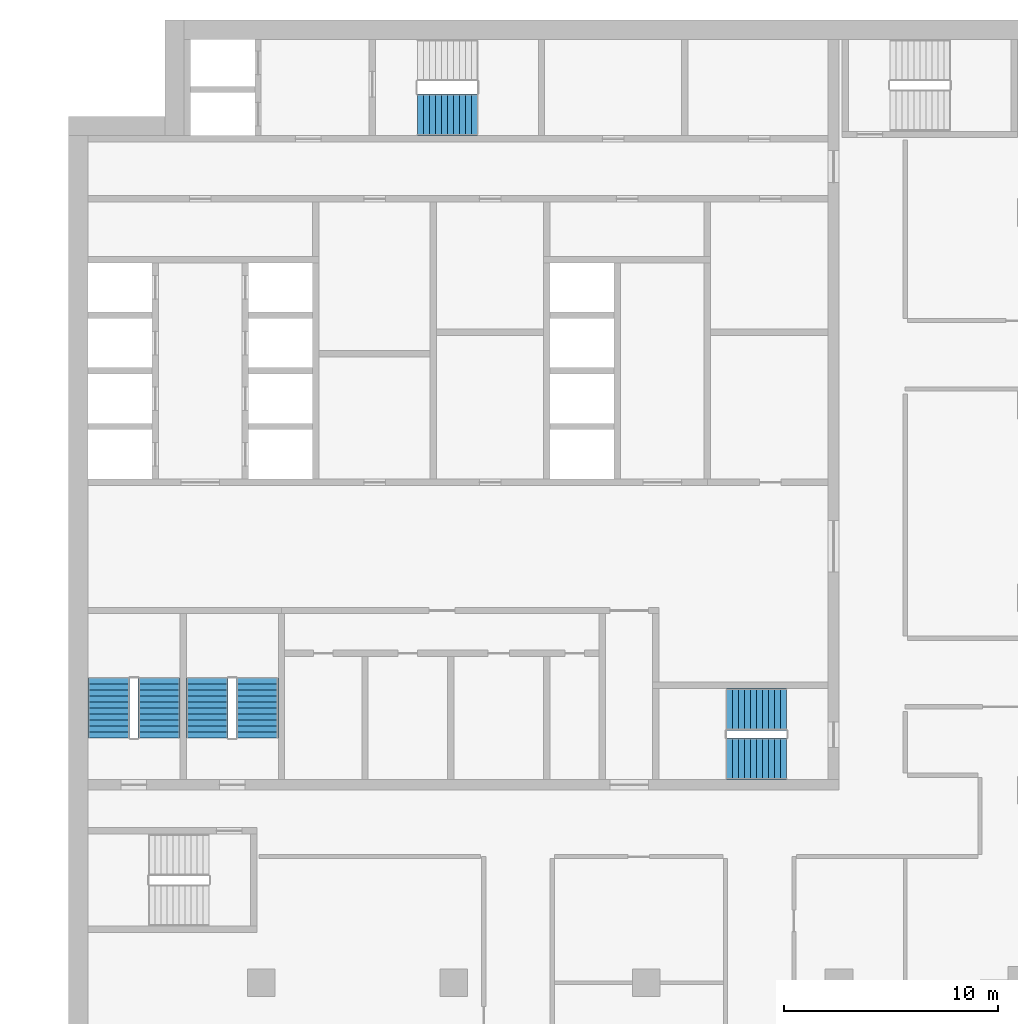
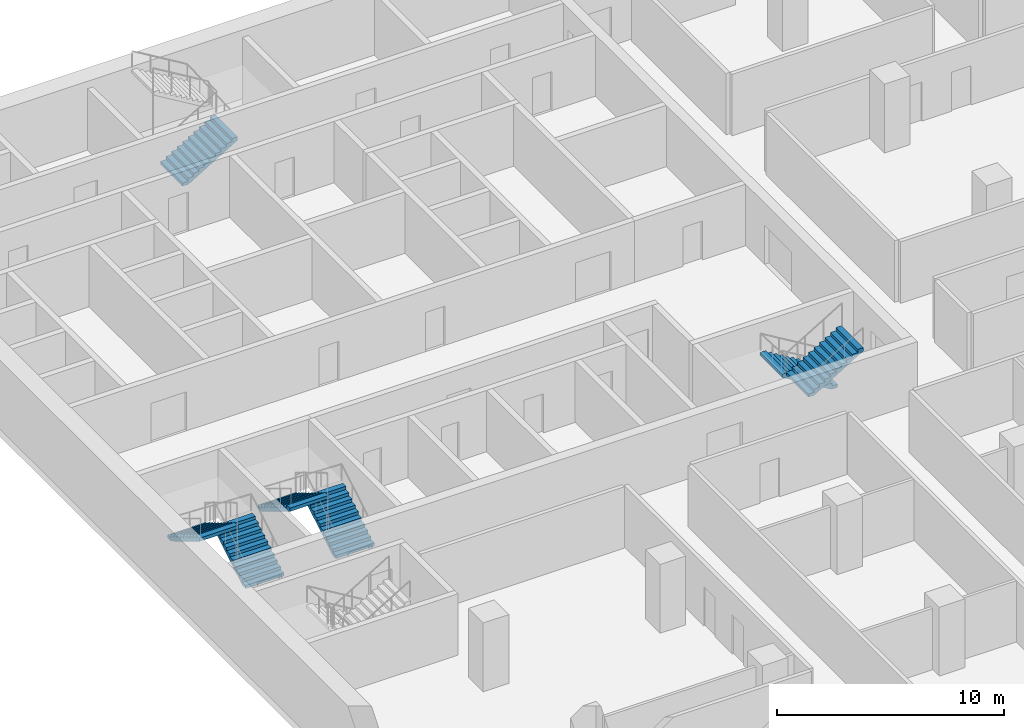
# One storey, part 16 of 22: 7 stair flights, 4 elements without a shape of their own.
"""IFC4 building model written with IfcOpenShell, lengths in metres."""

from ifc_helpers import new_model, si_unit, direction, frame, origin, place, context, subcontext, project, spatial, polyline, outline, extrude, material, type_object, element, aggregate, save


model = new_model("IFC4")

# Units and contexts
model_context = context("Model", 3, precision=1e-05, world=origin(), true_north=direction((0.0, 1.0)))
body_context = subcontext(model_context, "Body", "Model", "MODEL_VIEW")
ifc_project = project(units=[si_unit("LENGTHUNIT", "METRE"), si_unit("AREAUNIT", "SQUARE_METRE"), si_unit("VOLUMEUNIT", "CUBIC_METRE"), si_unit("PLANEANGLEUNIT", "RADIAN"), si_unit("MASSUNIT", "GRAM", prefix="KILO")], contexts=[model_context])

# Site, building, storey
site_placement = place(None, origin())
site = spatial("IfcSite", under=ifc_project, at=site_placement, CompositionType="ELEMENT")
building_placement = place(site_placement, origin())
building = spatial("IfcBuilding", under=site, at=building_placement, Name="Hunhe Ridgeline Campus", CompositionType="ELEMENT")
storey_placement = place(building_placement, frame((0.0, 0.0, 88.5)))
storey = spatial("IfcBuildingStorey", under=building, at=storey_placement, Name="L21", CompositionType="ELEMENT", Elevation=88.5)

# Stair, stair flight
ifc_material = material(Name="Concrete C40", Category="concrete")
stair_type = type_object("IfcStairType", Name="Reinforced concrete dog-leg stair 1950 Concrete C40", PredefinedType="HALF_TURN_STAIR", material=ifc_material)
stair_1_placement = place(storey_placement, origin())
stair_1 = element("IfcStair", 1, at=stair_1_placement, inside=storey, type_object=stair_type, Name="L21 S1", PredefinedType="HALF_TURN_STAIR")
stair_flight_type = type_object("IfcStairFlightType", Name="Reinforced concrete stair flight 1950 Concrete C40", PredefinedType="STRAIGHT", material=ifc_material)
stair_flight_1_placement = place(storey_placement, frame((16.300048828125, 94.574951171875, 0.0), z_axis=(0.0, 0.0, 1.0), x_axis=(1.0, 0.0, 0.0)))
stair_flight_1 = element("IfcStairFlight", 2, at=stair_flight_1_placement, type_object=stair_flight_type, Name="ST1 flight 1", NumberOfRisers=11, NumberOfTreads=10, PredefinedType="STRAIGHT", RiserHeight=0.168181818, TreadLength=0.28, context=body_context, shape_type="SweptSolid", body=[
    extrude(outline(polyline([(0.0, 0.0), (0.0, 0.168212890625), (0.280029296875, 0.168212890625), (0.280029296875, 0.33642578125), (0.56005859375, 0.33642578125), (0.56005859375, 0.504638671875), (0.840087890625, 0.504638671875), (0.840087890625, 0.672607421875), (1.1201171875, 0.672607421875), (1.1201171875, 0.8408203125), (1.39990234375, 0.8408203125), (1.39990234375, 1.009033203125), (1.679931640625, 1.009033203125), (1.679931640625, 1.17724609375), (1.9599609375, 1.17724609375), (1.9599609375, 1.345458984375), (2.239990234375, 1.345458984375), (2.239990234375, 1.513671875), (2.52001953125, 1.513671875), (2.52001953125, 1.681884765625), (2.800048828125, 1.681884765625), (2.800048828125, 1.85009765625), (2.800048828125, 1.5068359375), (0.291015625, 0.0), (0.0, 0.0)])), frame((0.0, 0.97509765625, 0.0), z_axis=(0.0, -1.0, 0.0), x_axis=(1.0, 0.0, 0.0)), (0.0, 0.0, 1.0), 1.949951171875),
    extrude(outline(polyline([(0.030029296875, 0.030029296875), (0.030029296875, 0.13818359375), (0.31005859375, 0.13818359375), (0.31005859375, 0.306396484375), (0.590087890625, 0.306396484375), (0.590087890625, 0.474609375), (0.8701171875, 0.474609375), (0.8701171875, 0.642578125), (1.14990234375, 0.642578125), (1.14990234375, 0.810791015625), (1.429931640625, 0.810791015625), (1.429931640625, 0.97900390625), (1.7099609375, 0.97900390625), (1.7099609375, 1.147216796875), (1.989990234375, 1.147216796875), (1.989990234375, 1.3154296875), (2.27001953125, 1.3154296875), (2.27001953125, 1.483642578125), (2.550048828125, 1.483642578125), (2.550048828125, 1.65185546875), (2.77001953125, 1.65185546875), (2.77001953125, 1.52392578125), (0.28271484375, 0.030029296875), (0.030029296875, 0.030029296875)])), frame((0.0, -0.070068359375, 0.0), z_axis=(0.0, -1.0, 0.0), x_axis=(1.0, 0.0, 0.0)), (0.0, 0.0, 1.0), 0.019775390625),
    extrude(outline(polyline([(0.030029296875, 0.030029296875), (0.030029296875, 0.13818359375), (0.31005859375, 0.13818359375), (0.31005859375, 0.306396484375), (0.590087890625, 0.306396484375), (0.590087890625, 0.474609375), (0.8701171875, 0.474609375), (0.8701171875, 0.642578125), (1.14990234375, 0.642578125), (1.14990234375, 0.810791015625), (1.429931640625, 0.810791015625), (1.429931640625, 0.97900390625), (1.7099609375, 0.97900390625), (1.7099609375, 1.147216796875), (1.989990234375, 1.147216796875), (1.989990234375, 1.3154296875), (2.27001953125, 1.3154296875), (2.27001953125, 1.483642578125), (2.550048828125, 1.483642578125), (2.550048828125, 1.65185546875), (2.77001953125, 1.65185546875), (2.77001953125, 1.52392578125), (0.28271484375, 0.030029296875), (0.030029296875, 0.030029296875)])), frame((0.0, 0.010009765625, 0.0), z_axis=(0.0, -1.0, 0.0), x_axis=(1.0, 0.0, 0.0)), (0.0, 0.0, 1.0), 0.019775390625),
    extrude(outline(polyline([(0.030029296875, 0.030029296875), (0.030029296875, 0.13818359375), (0.31005859375, 0.13818359375), (0.31005859375, 0.306396484375), (0.590087890625, 0.306396484375), (0.590087890625, 0.474609375), (0.8701171875, 0.474609375), (0.8701171875, 0.642578125), (1.14990234375, 0.642578125), (1.14990234375, 0.810791015625), (1.429931640625, 0.810791015625), (1.429931640625, 0.97900390625), (1.7099609375, 0.97900390625), (1.7099609375, 1.147216796875), (1.989990234375, 1.147216796875), (1.989990234375, 1.3154296875), (2.27001953125, 1.3154296875), (2.27001953125, 1.483642578125), (2.550048828125, 1.483642578125), (2.550048828125, 1.65185546875), (2.77001953125, 1.65185546875), (2.77001953125, 1.52392578125), (0.28271484375, 0.030029296875), (0.030029296875, 0.030029296875)])), frame((0.0, 0.090087890625, 0.0), z_axis=(0.0, -1.0, 0.0), x_axis=(1.0, 0.0, 0.0)), (0.0, 0.0, 1.0), 0.019775390625),
])
aggregate(stair_1, [stair_flight_1])

# Stair, stair flights
stair_2_placement = place(storey_placement, origin())
stair_2 = element("IfcStair", 3, at=stair_2_placement, inside=storey, type_object=stair_type, Name="L21 S2", PredefinedType="HALF_TURN_STAIR")
stair_flight_2_placement = place(storey_placement, frame((33.550048828125, 66.77490234375, 0.0), z_axis=(0.0, 0.0, 1.0), x_axis=(-1.0, 0.0, 0.0)))
stair_flight_2 = element("IfcStairFlight", 4, at=stair_flight_2_placement, type_object=stair_flight_type, Name="ST2 flight 1", NumberOfRisers=11, NumberOfTreads=10, PredefinedType="STRAIGHT", RiserHeight=0.168181818, TreadLength=0.28, context=body_context, shape_type="SweptSolid", body=[
    extrude(outline(polyline([(0.0, 0.0), (0.0, 0.168212890625), (0.280029296875, 0.168212890625), (0.280029296875, 0.33642578125), (0.56005859375, 0.33642578125), (0.56005859375, 0.504638671875), (0.840087890625, 0.504638671875), (0.840087890625, 0.672607421875), (1.1201171875, 0.672607421875), (1.1201171875, 0.8408203125), (1.39990234375, 0.8408203125), (1.39990234375, 1.009033203125), (1.679931640625, 1.009033203125), (1.679931640625, 1.17724609375), (1.9599609375, 1.17724609375), (1.9599609375, 1.345458984375), (2.239990234375, 1.345458984375), (2.239990234375, 1.513671875), (2.52001953125, 1.513671875), (2.52001953125, 1.681884765625), (2.800048828125, 1.681884765625), (2.800048828125, 1.85009765625), (2.800048828125, 1.5068359375), (0.291015625, 0.0), (0.0, 0.0)])), frame((0.0, 0.97509765625, 0.0), z_axis=(0.0, -1.0, 0.0), x_axis=(1.0, 0.0, 0.0)), (0.0, 0.0, 1.0), 1.949951171875),
    extrude(outline(polyline([(0.030029296875, 0.030029296875), (0.030029296875, 0.13818359375), (0.31005859375, 0.13818359375), (0.31005859375, 0.306396484375), (0.590087890625, 0.306396484375), (0.590087890625, 0.474609375), (0.8701171875, 0.474609375), (0.8701171875, 0.642578125), (1.14990234375, 0.642578125), (1.14990234375, 0.810791015625), (1.429931640625, 0.810791015625), (1.429931640625, 0.97900390625), (1.7099609375, 0.97900390625), (1.7099609375, 1.147216796875), (1.989990234375, 1.147216796875), (1.989990234375, 1.3154296875), (2.27001953125, 1.3154296875), (2.27001953125, 1.483642578125), (2.550048828125, 1.483642578125), (2.550048828125, 1.65185546875), (2.77001953125, 1.65185546875), (2.77001953125, 1.52392578125), (0.28271484375, 0.030029296875), (0.030029296875, 0.030029296875)])), frame((0.0, -0.070068359375, 0.0), z_axis=(0.0, -1.0, 0.0), x_axis=(1.0, 0.0, 0.0)), (0.0, 0.0, 1.0), 0.019775390625),
    extrude(outline(polyline([(0.030029296875, 0.030029296875), (0.030029296875, 0.13818359375), (0.31005859375, 0.13818359375), (0.31005859375, 0.306396484375), (0.590087890625, 0.306396484375), (0.590087890625, 0.474609375), (0.8701171875, 0.474609375), (0.8701171875, 0.642578125), (1.14990234375, 0.642578125), (1.14990234375, 0.810791015625), (1.429931640625, 0.810791015625), (1.429931640625, 0.97900390625), (1.7099609375, 0.97900390625), (1.7099609375, 1.147216796875), (1.989990234375, 1.147216796875), (1.989990234375, 1.3154296875), (2.27001953125, 1.3154296875), (2.27001953125, 1.483642578125), (2.550048828125, 1.483642578125), (2.550048828125, 1.65185546875), (2.77001953125, 1.65185546875), (2.77001953125, 1.52392578125), (0.28271484375, 0.030029296875), (0.030029296875, 0.030029296875)])), frame((0.0, 0.010009765625, 0.0), z_axis=(0.0, -1.0, 0.0), x_axis=(1.0, 0.0, 0.0)), (0.0, 0.0, 1.0), 0.019775390625),
    extrude(outline(polyline([(0.030029296875, 0.030029296875), (0.030029296875, 0.13818359375), (0.31005859375, 0.13818359375), (0.31005859375, 0.306396484375), (0.590087890625, 0.306396484375), (0.590087890625, 0.474609375), (0.8701171875, 0.474609375), (0.8701171875, 0.642578125), (1.14990234375, 0.642578125), (1.14990234375, 0.810791015625), (1.429931640625, 0.810791015625), (1.429931640625, 0.97900390625), (1.7099609375, 0.97900390625), (1.7099609375, 1.147216796875), (1.989990234375, 1.147216796875), (1.989990234375, 1.3154296875), (2.27001953125, 1.3154296875), (2.27001953125, 1.483642578125), (2.550048828125, 1.483642578125), (2.550048828125, 1.65185546875), (2.77001953125, 1.65185546875), (2.77001953125, 1.52392578125), (0.28271484375, 0.030029296875), (0.030029296875, 0.030029296875)])), frame((0.0, 0.090087890625, 0.0), z_axis=(0.0, -1.0, 0.0), x_axis=(1.0, 0.0, 0.0)), (0.0, 0.0, 1.0), 0.019775390625),
])
stair_flight_3_placement = place(storey_placement, frame((30.75, 64.47509765625, 1.85009765625), z_axis=(0.0, 0.0, 1.0), x_axis=(1.0, 0.0, 0.0)))
stair_flight_3 = element("IfcStairFlight", 5, at=stair_flight_3_placement, type_object=stair_flight_type, Name="ST2 flight 2", NumberOfRisers=11, NumberOfTreads=10, PredefinedType="STRAIGHT", RiserHeight=0.168181818, TreadLength=0.28, context=body_context, shape_type="SweptSolid", body=[
    extrude(outline(polyline([(0.0, 0.0), (0.0, 0.168212890625), (0.280029296875, 0.168212890625), (0.280029296875, 0.33642578125), (0.56005859375, 0.33642578125), (0.56005859375, 0.504638671875), (0.840087890625, 0.504638671875), (0.840087890625, 0.672607421875), (1.1201171875, 0.672607421875), (1.1201171875, 0.8408203125), (1.39990234375, 0.8408203125), (1.39990234375, 1.009033203125), (1.679931640625, 1.009033203125), (1.679931640625, 1.17724609375), (1.9599609375, 1.17724609375), (1.9599609375, 1.345458984375), (2.239990234375, 1.345458984375), (2.239990234375, 1.513671875), (2.52001953125, 1.513671875), (2.52001953125, 1.681884765625), (2.800048828125, 1.681884765625), (2.800048828125, 1.85009765625), (2.800048828125, 1.5068359375), (0.291015625, 0.0), (0.0, 0.0)])), frame((0.0, 0.97509765625, 0.0), z_axis=(0.0, -1.0, 0.0), x_axis=(1.0, 0.0, 0.0)), (0.0, 0.0, 1.0), 1.949951171875),
    extrude(outline(polyline([(0.030029296875, 0.030029296875), (0.030029296875, 0.13818359375), (0.31005859375, 0.13818359375), (0.31005859375, 0.306396484375), (0.590087890625, 0.306396484375), (0.590087890625, 0.474609375), (0.8701171875, 0.474609375), (0.8701171875, 0.642578125), (1.14990234375, 0.642578125), (1.14990234375, 0.810791015625), (1.429931640625, 0.810791015625), (1.429931640625, 0.97900390625), (1.7099609375, 0.97900390625), (1.7099609375, 1.147216796875), (1.989990234375, 1.147216796875), (1.989990234375, 1.3154296875), (2.27001953125, 1.3154296875), (2.27001953125, 1.483642578125), (2.550048828125, 1.483642578125), (2.550048828125, 1.65185546875), (2.77001953125, 1.65185546875), (2.77001953125, 1.52392578125), (0.28271484375, 0.030029296875), (0.030029296875, 0.030029296875)])), frame((0.0, -0.070068359375, 0.0), z_axis=(0.0, -1.0, 0.0), x_axis=(1.0, 0.0, 0.0)), (0.0, 0.0, 1.0), 0.019775390625),
    extrude(outline(polyline([(0.030029296875, 0.030029296875), (0.030029296875, 0.13818359375), (0.31005859375, 0.13818359375), (0.31005859375, 0.306396484375), (0.590087890625, 0.306396484375), (0.590087890625, 0.474609375), (0.8701171875, 0.474609375), (0.8701171875, 0.642578125), (1.14990234375, 0.642578125), (1.14990234375, 0.810791015625), (1.429931640625, 0.810791015625), (1.429931640625, 0.97900390625), (1.7099609375, 0.97900390625), (1.7099609375, 1.147216796875), (1.989990234375, 1.147216796875), (1.989990234375, 1.3154296875), (2.27001953125, 1.3154296875), (2.27001953125, 1.483642578125), (2.550048828125, 1.483642578125), (2.550048828125, 1.65185546875), (2.77001953125, 1.65185546875), (2.77001953125, 1.52392578125), (0.28271484375, 0.030029296875), (0.030029296875, 0.030029296875)])), frame((0.0, 0.010009765625, 0.0), z_axis=(0.0, -1.0, 0.0), x_axis=(1.0, 0.0, 0.0)), (0.0, 0.0, 1.0), 0.019775390625),
    extrude(outline(polyline([(0.030029296875, 0.030029296875), (0.030029296875, 0.13818359375), (0.31005859375, 0.13818359375), (0.31005859375, 0.306396484375), (0.590087890625, 0.306396484375), (0.590087890625, 0.474609375), (0.8701171875, 0.474609375), (0.8701171875, 0.642578125), (1.14990234375, 0.642578125), (1.14990234375, 0.810791015625), (1.429931640625, 0.810791015625), (1.429931640625, 0.97900390625), (1.7099609375, 0.97900390625), (1.7099609375, 1.147216796875), (1.989990234375, 1.147216796875), (1.989990234375, 1.3154296875), (2.27001953125, 1.3154296875), (2.27001953125, 1.483642578125), (2.550048828125, 1.483642578125), (2.550048828125, 1.65185546875), (2.77001953125, 1.65185546875), (2.77001953125, 1.52392578125), (0.28271484375, 0.030029296875), (0.030029296875, 0.030029296875)])), frame((0.0, 0.090087890625, 0.0), z_axis=(0.0, -1.0, 0.0), x_axis=(1.0, 0.0, 0.0)), (0.0, 0.0, 1.0), 0.019775390625),
])
aggregate(stair_2, [stair_flight_2, stair_flight_3])

stair_3_placement = place(storey_placement, origin())
stair_3 = element("IfcStair", 6, at=stair_3_placement, inside=storey, type_object=stair_type, Name="L21 S3", PredefinedType="HALF_TURN_STAIR")
stair_flight_4_placement = place(storey_placement, frame((4.22509765625, 65.449951171875, 0.0), z_axis=(0.0, 0.0, 1.0), x_axis=(0.0, 1.0, 0.0)))
stair_flight_4 = element("IfcStairFlight", 7, at=stair_flight_4_placement, type_object=stair_flight_type, Name="ST3 flight 1", NumberOfRisers=11, NumberOfTreads=10, PredefinedType="STRAIGHT", RiserHeight=0.168181818, TreadLength=0.28, context=body_context, shape_type="SweptSolid", body=[
    extrude(outline(polyline([(0.0, 0.0), (0.0, 0.168212890625), (0.280029296875, 0.168212890625), (0.280029296875, 0.33642578125), (0.56005859375, 0.33642578125), (0.56005859375, 0.504638671875), (0.840087890625, 0.504638671875), (0.840087890625, 0.672607421875), (1.1201171875, 0.672607421875), (1.1201171875, 0.8408203125), (1.39990234375, 0.8408203125), (1.39990234375, 1.009033203125), (1.679931640625, 1.009033203125), (1.679931640625, 1.17724609375), (1.9599609375, 1.17724609375), (1.9599609375, 1.345458984375), (2.239990234375, 1.345458984375), (2.239990234375, 1.513671875), (2.52001953125, 1.513671875), (2.52001953125, 1.681884765625), (2.800048828125, 1.681884765625), (2.800048828125, 1.85009765625), (2.800048828125, 1.5068359375), (0.291015625, 0.0), (0.0, 0.0)])), frame((0.0, 0.97509765625, 0.0), z_axis=(0.0, -1.0, 0.0), x_axis=(1.0, 0.0, 0.0)), (0.0, 0.0, 1.0), 1.949951171875),
    extrude(outline(polyline([(0.030029296875, 0.030029296875), (0.030029296875, 0.13818359375), (0.31005859375, 0.13818359375), (0.31005859375, 0.306396484375), (0.590087890625, 0.306396484375), (0.590087890625, 0.474609375), (0.8701171875, 0.474609375), (0.8701171875, 0.642578125), (1.14990234375, 0.642578125), (1.14990234375, 0.810791015625), (1.429931640625, 0.810791015625), (1.429931640625, 0.97900390625), (1.7099609375, 0.97900390625), (1.7099609375, 1.147216796875), (1.989990234375, 1.147216796875), (1.989990234375, 1.3154296875), (2.27001953125, 1.3154296875), (2.27001953125, 1.483642578125), (2.550048828125, 1.483642578125), (2.550048828125, 1.65185546875), (2.77001953125, 1.65185546875), (2.77001953125, 1.52392578125), (0.28271484375, 0.030029296875), (0.030029296875, 0.030029296875)])), frame((0.0, -0.070068359375, 0.0), z_axis=(0.0, -1.0, 0.0), x_axis=(1.0, 0.0, 0.0)), (0.0, 0.0, 1.0), 0.019775390625),
    extrude(outline(polyline([(0.030029296875, 0.030029296875), (0.030029296875, 0.13818359375), (0.31005859375, 0.13818359375), (0.31005859375, 0.306396484375), (0.590087890625, 0.306396484375), (0.590087890625, 0.474609375), (0.8701171875, 0.474609375), (0.8701171875, 0.642578125), (1.14990234375, 0.642578125), (1.14990234375, 0.810791015625), (1.429931640625, 0.810791015625), (1.429931640625, 0.97900390625), (1.7099609375, 0.97900390625), (1.7099609375, 1.147216796875), (1.989990234375, 1.147216796875), (1.989990234375, 1.3154296875), (2.27001953125, 1.3154296875), (2.27001953125, 1.483642578125), (2.550048828125, 1.483642578125), (2.550048828125, 1.65185546875), (2.77001953125, 1.65185546875), (2.77001953125, 1.52392578125), (0.28271484375, 0.030029296875), (0.030029296875, 0.030029296875)])), frame((0.0, 0.010009765625, 0.0), z_axis=(0.0, -1.0, 0.0), x_axis=(1.0, 0.0, 0.0)), (0.0, 0.0, 1.0), 0.019775390625),
    extrude(outline(polyline([(0.030029296875, 0.030029296875), (0.030029296875, 0.13818359375), (0.31005859375, 0.13818359375), (0.31005859375, 0.306396484375), (0.590087890625, 0.306396484375), (0.590087890625, 0.474609375), (0.8701171875, 0.474609375), (0.8701171875, 0.642578125), (1.14990234375, 0.642578125), (1.14990234375, 0.810791015625), (1.429931640625, 0.810791015625), (1.429931640625, 0.97900390625), (1.7099609375, 0.97900390625), (1.7099609375, 1.147216796875), (1.989990234375, 1.147216796875), (1.989990234375, 1.3154296875), (2.27001953125, 1.3154296875), (2.27001953125, 1.483642578125), (2.550048828125, 1.483642578125), (2.550048828125, 1.65185546875), (2.77001953125, 1.65185546875), (2.77001953125, 1.52392578125), (0.28271484375, 0.030029296875), (0.030029296875, 0.030029296875)])), frame((0.0, 0.090087890625, 0.0), z_axis=(0.0, -1.0, 0.0), x_axis=(1.0, 0.0, 0.0)), (0.0, 0.0, 1.0), 0.019775390625),
])
stair_flight_5_placement = place(storey_placement, frame((1.875, 68.25, 1.85009765625), z_axis=(0.0, 0.0, 1.0), x_axis=(0.0, -1.0, 0.0)))
stair_flight_5 = element("IfcStairFlight", 8, at=stair_flight_5_placement, type_object=stair_flight_type, Name="ST3 flight 2", NumberOfRisers=11, NumberOfTreads=10, PredefinedType="STRAIGHT", RiserHeight=0.168181818, TreadLength=0.28, context=body_context, shape_type="SweptSolid", body=[
    extrude(outline(polyline([(0.0, 0.0), (0.0, 0.168212890625), (0.280029296875, 0.168212890625), (0.280029296875, 0.33642578125), (0.56005859375, 0.33642578125), (0.56005859375, 0.504638671875), (0.840087890625, 0.504638671875), (0.840087890625, 0.672607421875), (1.1201171875, 0.672607421875), (1.1201171875, 0.8408203125), (1.39990234375, 0.8408203125), (1.39990234375, 1.009033203125), (1.679931640625, 1.009033203125), (1.679931640625, 1.17724609375), (1.9599609375, 1.17724609375), (1.9599609375, 1.345458984375), (2.239990234375, 1.345458984375), (2.239990234375, 1.513671875), (2.52001953125, 1.513671875), (2.52001953125, 1.681884765625), (2.800048828125, 1.681884765625), (2.800048828125, 1.85009765625), (2.800048828125, 1.5068359375), (0.291015625, 0.0), (0.0, 0.0)])), frame((0.0, 0.97509765625, 0.0), z_axis=(0.0, -1.0, 0.0), x_axis=(1.0, 0.0, 0.0)), (0.0, 0.0, 1.0), 1.949951171875),
    extrude(outline(polyline([(0.030029296875, 0.030029296875), (0.030029296875, 0.13818359375), (0.31005859375, 0.13818359375), (0.31005859375, 0.306396484375), (0.590087890625, 0.306396484375), (0.590087890625, 0.474609375), (0.8701171875, 0.474609375), (0.8701171875, 0.642578125), (1.14990234375, 0.642578125), (1.14990234375, 0.810791015625), (1.429931640625, 0.810791015625), (1.429931640625, 0.97900390625), (1.7099609375, 0.97900390625), (1.7099609375, 1.147216796875), (1.989990234375, 1.147216796875), (1.989990234375, 1.3154296875), (2.27001953125, 1.3154296875), (2.27001953125, 1.483642578125), (2.550048828125, 1.483642578125), (2.550048828125, 1.65185546875), (2.77001953125, 1.65185546875), (2.77001953125, 1.52392578125), (0.28271484375, 0.030029296875), (0.030029296875, 0.030029296875)])), frame((0.0, -0.070068359375, 0.0), z_axis=(0.0, -1.0, 0.0), x_axis=(1.0, 0.0, 0.0)), (0.0, 0.0, 1.0), 0.019775390625),
    extrude(outline(polyline([(0.030029296875, 0.030029296875), (0.030029296875, 0.13818359375), (0.31005859375, 0.13818359375), (0.31005859375, 0.306396484375), (0.590087890625, 0.306396484375), (0.590087890625, 0.474609375), (0.8701171875, 0.474609375), (0.8701171875, 0.642578125), (1.14990234375, 0.642578125), (1.14990234375, 0.810791015625), (1.429931640625, 0.810791015625), (1.429931640625, 0.97900390625), (1.7099609375, 0.97900390625), (1.7099609375, 1.147216796875), (1.989990234375, 1.147216796875), (1.989990234375, 1.3154296875), (2.27001953125, 1.3154296875), (2.27001953125, 1.483642578125), (2.550048828125, 1.483642578125), (2.550048828125, 1.65185546875), (2.77001953125, 1.65185546875), (2.77001953125, 1.52392578125), (0.28271484375, 0.030029296875), (0.030029296875, 0.030029296875)])), frame((0.0, 0.010009765625, 0.0), z_axis=(0.0, -1.0, 0.0), x_axis=(1.0, 0.0, 0.0)), (0.0, 0.0, 1.0), 0.019775390625),
    extrude(outline(polyline([(0.030029296875, 0.030029296875), (0.030029296875, 0.13818359375), (0.31005859375, 0.13818359375), (0.31005859375, 0.306396484375), (0.590087890625, 0.306396484375), (0.590087890625, 0.474609375), (0.8701171875, 0.474609375), (0.8701171875, 0.642578125), (1.14990234375, 0.642578125), (1.14990234375, 0.810791015625), (1.429931640625, 0.810791015625), (1.429931640625, 0.97900390625), (1.7099609375, 0.97900390625), (1.7099609375, 1.147216796875), (1.989990234375, 1.147216796875), (1.989990234375, 1.3154296875), (2.27001953125, 1.3154296875), (2.27001953125, 1.483642578125), (2.550048828125, 1.483642578125), (2.550048828125, 1.65185546875), (2.77001953125, 1.65185546875), (2.77001953125, 1.52392578125), (0.28271484375, 0.030029296875), (0.030029296875, 0.030029296875)])), frame((0.0, 0.090087890625, 0.0), z_axis=(0.0, -1.0, 0.0), x_axis=(1.0, 0.0, 0.0)), (0.0, 0.0, 1.0), 0.019775390625),
])
aggregate(stair_3, [stair_flight_4, stair_flight_5])

stair_4_placement = place(storey_placement, origin())
stair_4 = element("IfcStair", 9, at=stair_4_placement, inside=storey, type_object=stair_type, Name="L21 S4", PredefinedType="HALF_TURN_STAIR")
stair_flight_6_placement = place(storey_placement, frame((8.824951171875, 65.449951171875, 0.0), z_axis=(0.0, 0.0, 1.0), x_axis=(0.0, 1.0, 0.0)))
stair_flight_6 = element("IfcStairFlight", 10, at=stair_flight_6_placement, type_object=stair_flight_type, Name="ST4 flight 1", NumberOfRisers=11, NumberOfTreads=10, PredefinedType="STRAIGHT", RiserHeight=0.168181818, TreadLength=0.28, context=body_context, shape_type="SweptSolid", body=[
    extrude(outline(polyline([(0.0, 0.0), (0.0, 0.168212890625), (0.280029296875, 0.168212890625), (0.280029296875, 0.33642578125), (0.56005859375, 0.33642578125), (0.56005859375, 0.504638671875), (0.840087890625, 0.504638671875), (0.840087890625, 0.672607421875), (1.1201171875, 0.672607421875), (1.1201171875, 0.8408203125), (1.39990234375, 0.8408203125), (1.39990234375, 1.009033203125), (1.679931640625, 1.009033203125), (1.679931640625, 1.17724609375), (1.9599609375, 1.17724609375), (1.9599609375, 1.345458984375), (2.239990234375, 1.345458984375), (2.239990234375, 1.513671875), (2.52001953125, 1.513671875), (2.52001953125, 1.681884765625), (2.800048828125, 1.681884765625), (2.800048828125, 1.85009765625), (2.800048828125, 1.5068359375), (0.291015625, 0.0), (0.0, 0.0)])), frame((0.0, 0.97509765625, 0.0), z_axis=(0.0, -1.0, 0.0), x_axis=(1.0, 0.0, 0.0)), (0.0, 0.0, 1.0), 1.949951171875),
    extrude(outline(polyline([(0.030029296875, 0.030029296875), (0.030029296875, 0.13818359375), (0.31005859375, 0.13818359375), (0.31005859375, 0.306396484375), (0.590087890625, 0.306396484375), (0.590087890625, 0.474609375), (0.8701171875, 0.474609375), (0.8701171875, 0.642578125), (1.14990234375, 0.642578125), (1.14990234375, 0.810791015625), (1.429931640625, 0.810791015625), (1.429931640625, 0.97900390625), (1.7099609375, 0.97900390625), (1.7099609375, 1.147216796875), (1.989990234375, 1.147216796875), (1.989990234375, 1.3154296875), (2.27001953125, 1.3154296875), (2.27001953125, 1.483642578125), (2.550048828125, 1.483642578125), (2.550048828125, 1.65185546875), (2.77001953125, 1.65185546875), (2.77001953125, 1.52392578125), (0.28271484375, 0.030029296875), (0.030029296875, 0.030029296875)])), frame((0.0, -0.070068359375, 0.0), z_axis=(0.0, -1.0, 0.0), x_axis=(1.0, 0.0, 0.0)), (0.0, 0.0, 1.0), 0.019775390625),
    extrude(outline(polyline([(0.030029296875, 0.030029296875), (0.030029296875, 0.13818359375), (0.31005859375, 0.13818359375), (0.31005859375, 0.306396484375), (0.590087890625, 0.306396484375), (0.590087890625, 0.474609375), (0.8701171875, 0.474609375), (0.8701171875, 0.642578125), (1.14990234375, 0.642578125), (1.14990234375, 0.810791015625), (1.429931640625, 0.810791015625), (1.429931640625, 0.97900390625), (1.7099609375, 0.97900390625), (1.7099609375, 1.147216796875), (1.989990234375, 1.147216796875), (1.989990234375, 1.3154296875), (2.27001953125, 1.3154296875), (2.27001953125, 1.483642578125), (2.550048828125, 1.483642578125), (2.550048828125, 1.65185546875), (2.77001953125, 1.65185546875), (2.77001953125, 1.52392578125), (0.28271484375, 0.030029296875), (0.030029296875, 0.030029296875)])), frame((0.0, 0.010009765625, 0.0), z_axis=(0.0, -1.0, 0.0), x_axis=(1.0, 0.0, 0.0)), (0.0, 0.0, 1.0), 0.019775390625),
    extrude(outline(polyline([(0.030029296875, 0.030029296875), (0.030029296875, 0.13818359375), (0.31005859375, 0.13818359375), (0.31005859375, 0.306396484375), (0.590087890625, 0.306396484375), (0.590087890625, 0.474609375), (0.8701171875, 0.474609375), (0.8701171875, 0.642578125), (1.14990234375, 0.642578125), (1.14990234375, 0.810791015625), (1.429931640625, 0.810791015625), (1.429931640625, 0.97900390625), (1.7099609375, 0.97900390625), (1.7099609375, 1.147216796875), (1.989990234375, 1.147216796875), (1.989990234375, 1.3154296875), (2.27001953125, 1.3154296875), (2.27001953125, 1.483642578125), (2.550048828125, 1.483642578125), (2.550048828125, 1.65185546875), (2.77001953125, 1.65185546875), (2.77001953125, 1.52392578125), (0.28271484375, 0.030029296875), (0.030029296875, 0.030029296875)])), frame((0.0, 0.090087890625, 0.0), z_axis=(0.0, -1.0, 0.0), x_axis=(1.0, 0.0, 0.0)), (0.0, 0.0, 1.0), 0.019775390625),
])
stair_flight_7_placement = place(storey_placement, frame((6.47509765625, 68.25, 1.85009765625), z_axis=(0.0, 0.0, 1.0), x_axis=(0.0, -1.0, 0.0)))
stair_flight_7 = element("IfcStairFlight", 11, at=stair_flight_7_placement, type_object=stair_flight_type, Name="ST4 flight 2", NumberOfRisers=11, NumberOfTreads=10, PredefinedType="STRAIGHT", RiserHeight=0.168181818, TreadLength=0.28, context=body_context, shape_type="SweptSolid", body=[
    extrude(outline(polyline([(0.0, 0.0), (0.0, 0.168212890625), (0.280029296875, 0.168212890625), (0.280029296875, 0.33642578125), (0.56005859375, 0.33642578125), (0.56005859375, 0.504638671875), (0.840087890625, 0.504638671875), (0.840087890625, 0.672607421875), (1.1201171875, 0.672607421875), (1.1201171875, 0.8408203125), (1.39990234375, 0.8408203125), (1.39990234375, 1.009033203125), (1.679931640625, 1.009033203125), (1.679931640625, 1.17724609375), (1.9599609375, 1.17724609375), (1.9599609375, 1.345458984375), (2.239990234375, 1.345458984375), (2.239990234375, 1.513671875), (2.52001953125, 1.513671875), (2.52001953125, 1.681884765625), (2.800048828125, 1.681884765625), (2.800048828125, 1.85009765625), (2.800048828125, 1.5068359375), (0.291015625, 0.0), (0.0, 0.0)])), frame((0.0, 0.97509765625, 0.0), z_axis=(0.0, -1.0, 0.0), x_axis=(1.0, 0.0, 0.0)), (0.0, 0.0, 1.0), 1.949951171875),
    extrude(outline(polyline([(0.030029296875, 0.030029296875), (0.030029296875, 0.13818359375), (0.31005859375, 0.13818359375), (0.31005859375, 0.306396484375), (0.590087890625, 0.306396484375), (0.590087890625, 0.474609375), (0.8701171875, 0.474609375), (0.8701171875, 0.642578125), (1.14990234375, 0.642578125), (1.14990234375, 0.810791015625), (1.429931640625, 0.810791015625), (1.429931640625, 0.97900390625), (1.7099609375, 0.97900390625), (1.7099609375, 1.147216796875), (1.989990234375, 1.147216796875), (1.989990234375, 1.3154296875), (2.27001953125, 1.3154296875), (2.27001953125, 1.483642578125), (2.550048828125, 1.483642578125), (2.550048828125, 1.65185546875), (2.77001953125, 1.65185546875), (2.77001953125, 1.52392578125), (0.28271484375, 0.030029296875), (0.030029296875, 0.030029296875)])), frame((0.0, -0.070068359375, 0.0), z_axis=(0.0, -1.0, 0.0), x_axis=(1.0, 0.0, 0.0)), (0.0, 0.0, 1.0), 0.019775390625),
    extrude(outline(polyline([(0.030029296875, 0.030029296875), (0.030029296875, 0.13818359375), (0.31005859375, 0.13818359375), (0.31005859375, 0.306396484375), (0.590087890625, 0.306396484375), (0.590087890625, 0.474609375), (0.8701171875, 0.474609375), (0.8701171875, 0.642578125), (1.14990234375, 0.642578125), (1.14990234375, 0.810791015625), (1.429931640625, 0.810791015625), (1.429931640625, 0.97900390625), (1.7099609375, 0.97900390625), (1.7099609375, 1.147216796875), (1.989990234375, 1.147216796875), (1.989990234375, 1.3154296875), (2.27001953125, 1.3154296875), (2.27001953125, 1.483642578125), (2.550048828125, 1.483642578125), (2.550048828125, 1.65185546875), (2.77001953125, 1.65185546875), (2.77001953125, 1.52392578125), (0.28271484375, 0.030029296875), (0.030029296875, 0.030029296875)])), frame((0.0, 0.010009765625, 0.0), z_axis=(0.0, -1.0, 0.0), x_axis=(1.0, 0.0, 0.0)), (0.0, 0.0, 1.0), 0.019775390625),
    extrude(outline(polyline([(0.030029296875, 0.030029296875), (0.030029296875, 0.13818359375), (0.31005859375, 0.13818359375), (0.31005859375, 0.306396484375), (0.590087890625, 0.306396484375), (0.590087890625, 0.474609375), (0.8701171875, 0.474609375), (0.8701171875, 0.642578125), (1.14990234375, 0.642578125), (1.14990234375, 0.810791015625), (1.429931640625, 0.810791015625), (1.429931640625, 0.97900390625), (1.7099609375, 0.97900390625), (1.7099609375, 1.147216796875), (1.989990234375, 1.147216796875), (1.989990234375, 1.3154296875), (2.27001953125, 1.3154296875), (2.27001953125, 1.483642578125), (2.550048828125, 1.483642578125), (2.550048828125, 1.65185546875), (2.77001953125, 1.65185546875), (2.77001953125, 1.52392578125), (0.28271484375, 0.030029296875), (0.030029296875, 0.030029296875)])), frame((0.0, 0.090087890625, 0.0), z_axis=(0.0, -1.0, 0.0), x_axis=(1.0, 0.0, 0.0)), (0.0, 0.0, 1.0), 0.019775390625),
])
aggregate(stair_4, [stair_flight_6, stair_flight_7])

save(model, "model.ifc")
